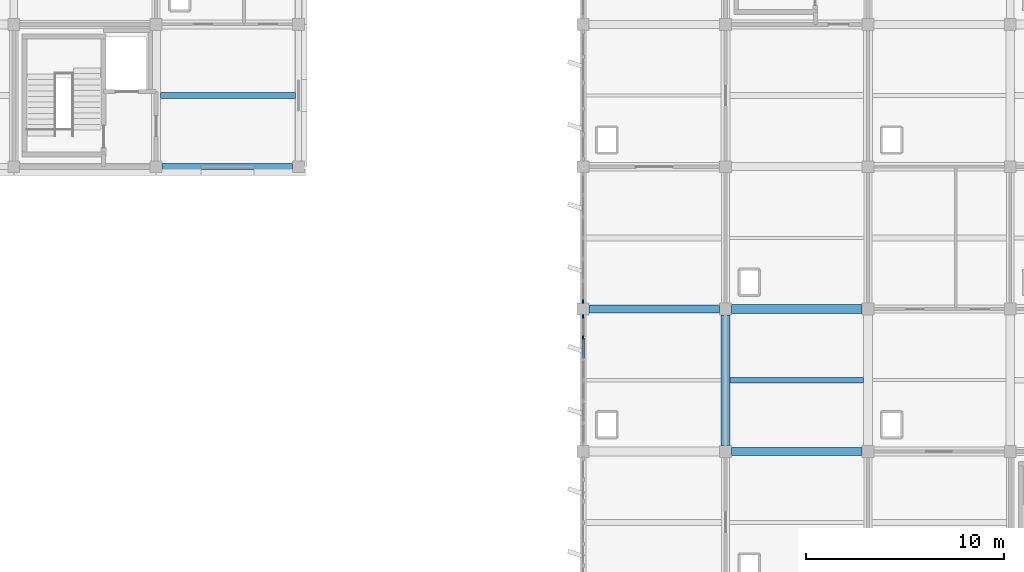
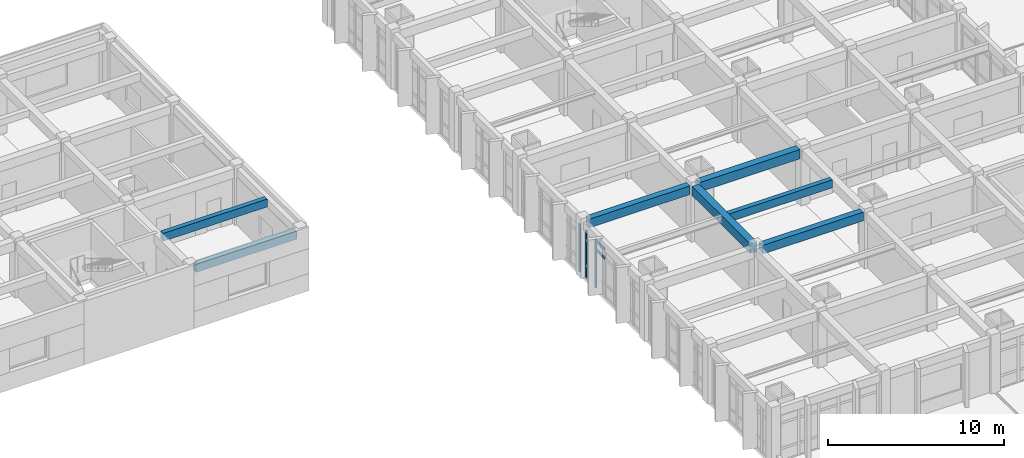
# One storey, part 16 of 62: 7 beams, 5 members, 2 elements without a shape of their own.
"""IFC4 building model written with IfcOpenShell, lengths in metres."""

from ifc_helpers import new_model, si_unit, direction, frame, origin, origin_2d, place, context, subcontext, project, spatial, rectangle, extrude, material, layer, layer_set, material_profile, profile_set, type_object, element, aggregate, save


model = new_model("IFC4")

# Units and contexts
model_context = context("Model", 3, precision=1e-05, world=origin(), true_north=direction((0.0, 1.0)))
body_context = subcontext(model_context, "Body", "Model", "MODEL_VIEW")
ifc_project = project(units=[si_unit("LENGTHUNIT", "METRE"), si_unit("AREAUNIT", "SQUARE_METRE"), si_unit("VOLUMEUNIT", "CUBIC_METRE"), si_unit("PLANEANGLEUNIT", "RADIAN"), si_unit("MASSUNIT", "GRAM", prefix="KILO")], contexts=[model_context])

# Site, building, storey
site_placement = place(None, origin())
site = spatial("IfcSite", under=ifc_project, at=site_placement, CompositionType="ELEMENT")
building_placement = place(site_placement, origin())
building = spatial("IfcBuilding", under=site, at=building_placement, Name="Kavelor Marine Aquarium", CompositionType="ELEMENT")
storey_placement = place(building_placement, frame((0.0, 0.0, 13.5)))
storey = spatial("IfcBuildingStorey", under=building, at=storey_placement, Name="L03", CompositionType="ELEMENT", Elevation=13.5)

# Beams
ifc_material_1 = material(Name="Concrete C40/50", Category="concrete")
ifc_material_profile_1 = material_profile(ifc_material_1, rectangle(XDim=0.449951171875, YDim=0.64990234375, at=origin_2d()), Name="RC-BM 450x650")
ifc_profile_set_1 = profile_set([ifc_material_profile_1], Name="Concrete C40/50")
beam_type_1 = type_object("IfcBeamType", Name="BM-B3", PredefinedType="BEAM", material=ifc_profile_set_1)
beam_1_placement = place(storey_placement, frame((125.89990234375, 82.0, 3.554931640625), z_axis=(1.0, 0.0, 0.0), x_axis=(0.0, 1.0, 0.0)))
element("IfcBeam", 1, at=beam_1_placement, inside=storey, type_object=beam_type_1, Name="bm:x:L03:L04:17_11", PredefinedType="BEAM", context=body_context, shape_type="SweptSolid", body=[
    extrude(rectangle(XDim=0.449951171875, YDim=0.64990234375, at=origin_2d()), origin(), (0.0, 0.0, 1.0), 6.60009765625),
])
beam_2_placement = place(storey_placement, frame((125.60009765625, 75.10009765625, 3.534912109375), z_axis=(0.0, 1.0, 0.0), x_axis=(-1.0, 0.0, 0.0)))
element("IfcBeam", 2, at=beam_2_placement, inside=storey, type_object=beam_type_1, Name="bm:y:L03:L04:17_10", PredefinedType="BEAM", context=body_context, shape_type="SweptSolid", body=[
    extrude(rectangle(XDim=0.449951171875, YDim=0.64990234375, at=origin_2d()), origin(), (0.0, 0.0, 1.0), 6.599853515625),
])
ifc_material_2 = material(Name="Concrete C40/50", Category="concrete")
ifc_material_profile_2 = material_profile(ifc_material_2, rectangle(XDim=0.39990234375, YDim=0.60009765625, at=origin_2d()), Name="RC-BM 400x600")
ifc_profile_set_2 = profile_set([ifc_material_profile_2], Name="Concrete C40/50")
beam_type_2 = type_object("IfcBeamType", Name="BM-B4", PredefinedType="BEAM", material=ifc_profile_set_2)
for number, where, z_axis, x_axis, name in (
    (3, (118.699951171875, 82.0, 3.56005859375), (1.0, 0.0, 0.0), (0.0, 1.0, 0.0), "bm:x:L03:L04:16_11"),
    (4, (125.89990234375, 74.800048828125, 3.580078125), (1.0, 0.0, 0.0), (0.0, 1.0, 0.0), "bm:x:L03:L04:17_10"),
):
    element("IfcBeam", number, at=place(storey_placement, frame(where, z_axis=z_axis, x_axis=x_axis)), inside=storey, type_object=beam_type_2, Name=name, PredefinedType="BEAM", context=body_context, shape_type="SweptSolid", body=[
        extrude(rectangle(XDim=0.39990234375, YDim=0.60009765625, at=origin_2d()), origin(), (0.0, 0.0, 1.0), 6.60009765625),
    ])
ifc_material_3 = material(Name="Concrete C40/50", Category="concrete")
ifc_material_profile_3 = material_profile(ifc_material_3, rectangle(XDim=0.300048828125, YDim=0.550048828125, at=origin_2d()), Name="RC-JS 300x550")
ifc_profile_set_3 = profile_set([ifc_material_profile_3], Name="Concrete C40/50")
beam_type_3 = type_object("IfcBeamType", Name="BM-JS2", PredefinedType="JOIST", material=ifc_profile_set_3)
beam_3_placement = place(storey_placement, frame((97.02490234375, 92.800048828125, 3.60498046875), z_axis=(1.0, 0.0, 0.0), x_axis=(0.0, 1.0, 0.0)))
element("IfcBeam", 5, at=beam_3_placement, inside=storey, type_object=beam_type_3, Name="js:L03:L04:13_12", PredefinedType="JOIST", context=body_context, shape_type="SweptSolid", body=[
    extrude(rectangle(XDim=0.300048828125, YDim=0.550048828125, at=origin_2d()), origin(), (0.0, 0.0, 1.0), 6.8251953125),
])
beam_4_placement = place(storey_placement, frame((125.824951171875, 78.39990234375, 3.60498046875), z_axis=(1.0, 0.0, 0.0), x_axis=(0.0, 1.0, 0.0)))
element("IfcBeam", 6, at=beam_4_placement, inside=storey, type_object=beam_type_3, Name="js:L03:L04:17_10", PredefinedType="JOIST", context=body_context, shape_type="SweptSolid", body=[
    extrude(rectangle(XDim=0.300048828125, YDim=0.550048828125, at=origin_2d()), origin(), (0.0, 0.0, 1.0), 6.75),
])
ifc_material_4 = material(Name="Concrete C40/50", Category="concrete")
ifc_material_profile_4 = material_profile(ifc_material_4, rectangle(XDim=0.300048828125, YDim=0.550048828125, at=origin_2d()), Name="RC-SP 300x550")
ifc_profile_set_4 = profile_set([ifc_material_profile_4], Name="Concrete C40/50")
beam_type_4 = type_object("IfcBeamType", Name="BM-SP2", PredefinedType="SPANDREL", material=ifc_profile_set_4)
beam_5_placement = place(storey_placement, frame((97.10009765625, 89.199951171875, 3.60498046875), z_axis=(1.0, 0.0, 0.0), x_axis=(0.0, 1.0, 0.0)))
element("IfcBeam", 7, at=beam_5_placement, inside=storey, type_object=beam_type_4, Name="bm:x:L03:L04:13_12", PredefinedType="SPANDREL", context=body_context, shape_type="SweptSolid", body=[
    extrude(rectangle(XDim=0.300048828125, YDim=0.550048828125, at=origin_2d()), origin(), (0.0, 0.0, 1.0), 6.599853515625),
])

# Curtain wall, members
ifc_material_5 = material(Name="Thermally Broken Aluminium and Low-E Glass", Category="aluminium")
ifc_layer_1 = layer(ifc_material_5, 0.172119140625)
ifc_layer_set_1 = layer_set([ifc_layer_1], Name="CW-SYS4")
curtain_wall_type_1 = type_object("IfcCurtainWallType", Name="CW-SYS4", PredefinedType="USERDEFINED", material=ifc_layer_set_1)
curtain_wall_1_placement = place(storey_placement, origin())
curtain_wall_1 = element("IfcCurtainWall", 8, at=curtain_wall_1_placement, inside=storey, type_object=curtain_wall_type_1, Name="cw:y:L03:16_10", ObjectType="Curtain Wall", PredefinedType="USERDEFINED")
ifc_material_6 = material(Name="Anodised Aluminium Alloy 6063-T6", Category="aluminium")
ifc_material_profile_5 = material_profile(ifc_material_6, rectangle(XDim=0.074951171875, YDim=0.179931640625, at=origin_2d()), Name="CW-MUL 75x180")
ifc_profile_set_5 = profile_set([ifc_material_profile_5], Name="Anodised Aluminium Alloy 6063-T6")
member_type_1 = type_object("IfcMemberType", Name="CWM-1", PredefinedType="MULLION", material=ifc_profile_set_5)
member_1_placement = place(storey_placement, frame((118.39990234375, 81.617431640625, 0.0), z_axis=(0.0, 0.0, 1.0), x_axis=(1.0, 0.0, 0.0)))
member_1 = element("IfcMember", 9, at=member_1_placement, type_object=member_type_1, Name="CW04 mullion 1", PredefinedType="MULLION", context=body_context, shape_type="SweptSolid", body=[
    extrude(rectangle(XDim=0.074951171875, YDim=0.179931640625, at=origin_2d()), origin(), (0.0, 0.0, 1.0), 3.300048828125),
])
member_2_placement = place(storey_placement, frame((118.39990234375, 80.570068359375, 0.0), z_axis=(0.0, 0.0, 1.0), x_axis=(1.0, 0.0, 0.0)))
member_2 = element("IfcMember", 10, at=member_2_placement, type_object=member_type_1, Name="CW04 mullion 2", PredefinedType="MULLION", context=body_context, shape_type="SweptSolid", body=[
    extrude(rectangle(XDim=0.074951171875, YDim=0.179931640625, at=origin_2d()), origin(), (0.0, 0.0, 1.0), 3.300048828125),
])

# Curtain wall, member
ifc_material_7 = material(Name="Thermally Broken Aluminium and Low-E Glass", Category="aluminium")
ifc_layer_2 = layer(ifc_material_7, 0.179931640625)
ifc_layer_set_2 = layer_set([ifc_layer_2], Name="CW-SYS5")
curtain_wall_type_2 = type_object("IfcCurtainWallType", Name="CW-SYS5", PredefinedType="USERDEFINED", material=ifc_layer_set_2)
curtain_wall_2_placement = place(storey_placement, origin())
curtain_wall_2 = element("IfcCurtainWall", 11, at=curtain_wall_2_placement, inside=storey, type_object=curtain_wall_type_2, Name="cw:y:L03:16_11", ObjectType="Curtain Wall", PredefinedType="USERDEFINED")
ifc_material_8 = material(Name="Anodised Aluminium Alloy 6063-T6", Category="aluminium")
ifc_material_profile_6 = material_profile(ifc_material_8, rectangle(XDim=0.080078125, YDim=0.18505859375, at=origin_2d()), Name="CW-MUL 80x185")
ifc_profile_set_6 = profile_set([ifc_material_profile_6], Name="Anodised Aluminium Alloy 6063-T6")
member_type_2 = type_object("IfcMemberType", Name="CWM-2", PredefinedType="MULLION", material=ifc_profile_set_6)
member_3_placement = place(storey_placement, frame((118.39990234375, 82.37744140625, 0.0), z_axis=(0.0, 0.0, 1.0), x_axis=(1.0, 0.0, 0.0)))
member_3 = element("IfcMember", 12, at=member_3_placement, type_object=member_type_2, Name="CW05 mullion 7", PredefinedType="MULLION", context=body_context, shape_type="SweptSolid", body=[
    extrude(rectangle(XDim=0.080078125, YDim=0.18505859375, at=origin_2d()), origin(), (0.0, 0.0, 1.0), 3.300048828125),
])
aggregate(curtain_wall_2, [member_3])

# Member
ifc_material_9 = material(Name="Anodised Aluminium Alloy 6063-T6", Category="aluminium")
ifc_material_profile_7 = material_profile(ifc_material_9, rectangle(XDim=0.0849609375, YDim=0.159912109375, at=origin_2d()), Name="CW-TRN 85x160")
ifc_profile_set_7 = profile_set([ifc_material_profile_7], Name="Anodised Aluminium Alloy 6063-T6")
member_type_3 = type_object("IfcMemberType", Name="CWT-3", PredefinedType="USERDEFINED", material=ifc_profile_set_7)
member_4_placement = place(storey_placement, frame((118.39990234375, 80.532470703125, 2.64990234375), z_axis=(0.0, -1.0, 0.0), x_axis=(1.0, 0.0, 0.0)))
member_4 = element("IfcMember", 13, at=member_4_placement, type_object=member_type_3, Name="CW04 transom 2.3", ObjectType="TRANSOM", PredefinedType="USERDEFINED", context=body_context, shape_type="SweptSolid", body=[
    extrude(rectangle(XDim=0.0849609375, YDim=0.159912109375, at=origin_2d()), origin(), (0.0, 0.0, 1.0), 1.010009765625),
])

member_5_placement = place(storey_placement, frame((118.39990234375, 80.532470703125, 3.27001953125), z_axis=(0.0, -1.0, 0.0), x_axis=(1.0, 0.0, 0.0)))
member_5 = element("IfcMember", 14, at=member_5_placement, type_object=member_type_3, Name="CW04 transom 2.4", ObjectType="TRANSOM", PredefinedType="USERDEFINED", context=body_context, shape_type="SweptSolid", body=[
    extrude(rectangle(XDim=0.0849609375, YDim=0.159912109375, at=origin_2d()), origin(), (0.0, 0.0, 1.0), 1.010009765625),
])

aggregate(curtain_wall_1, [member_1, member_2, member_4, member_5])

save(model, "model.ifc")
